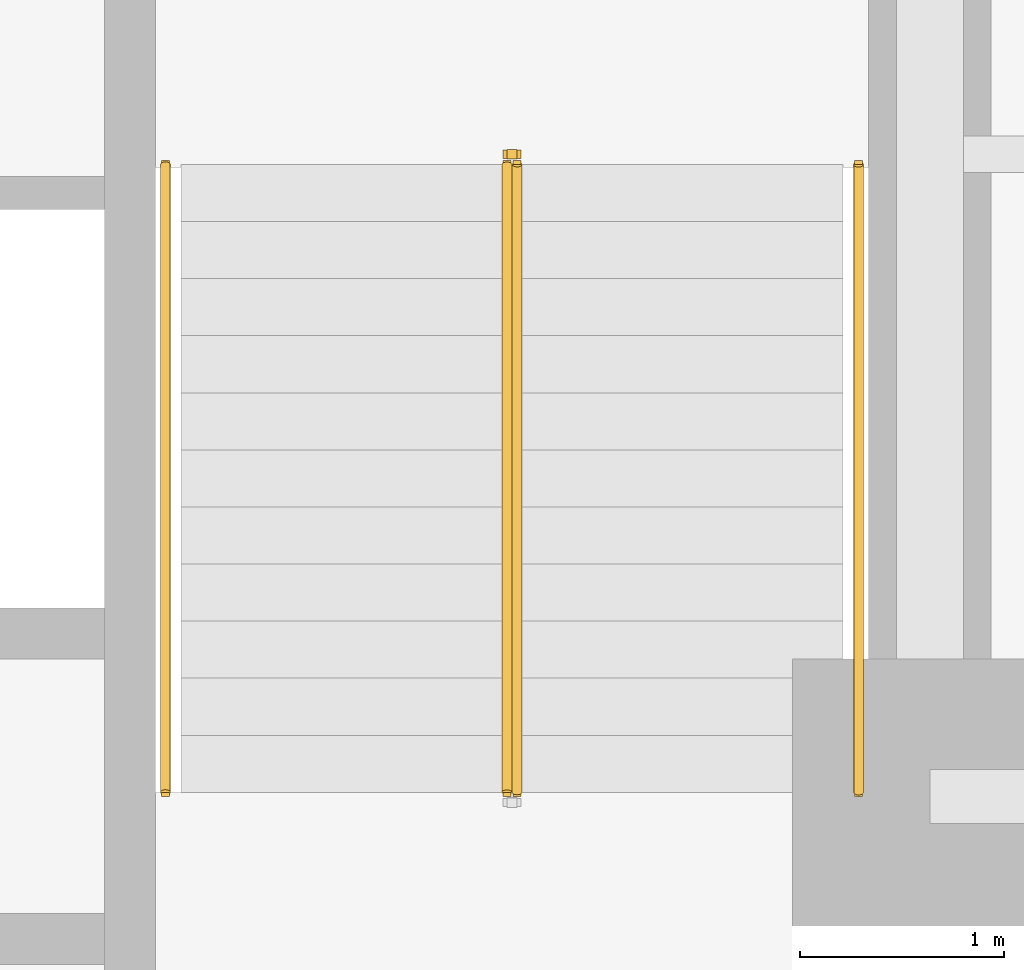
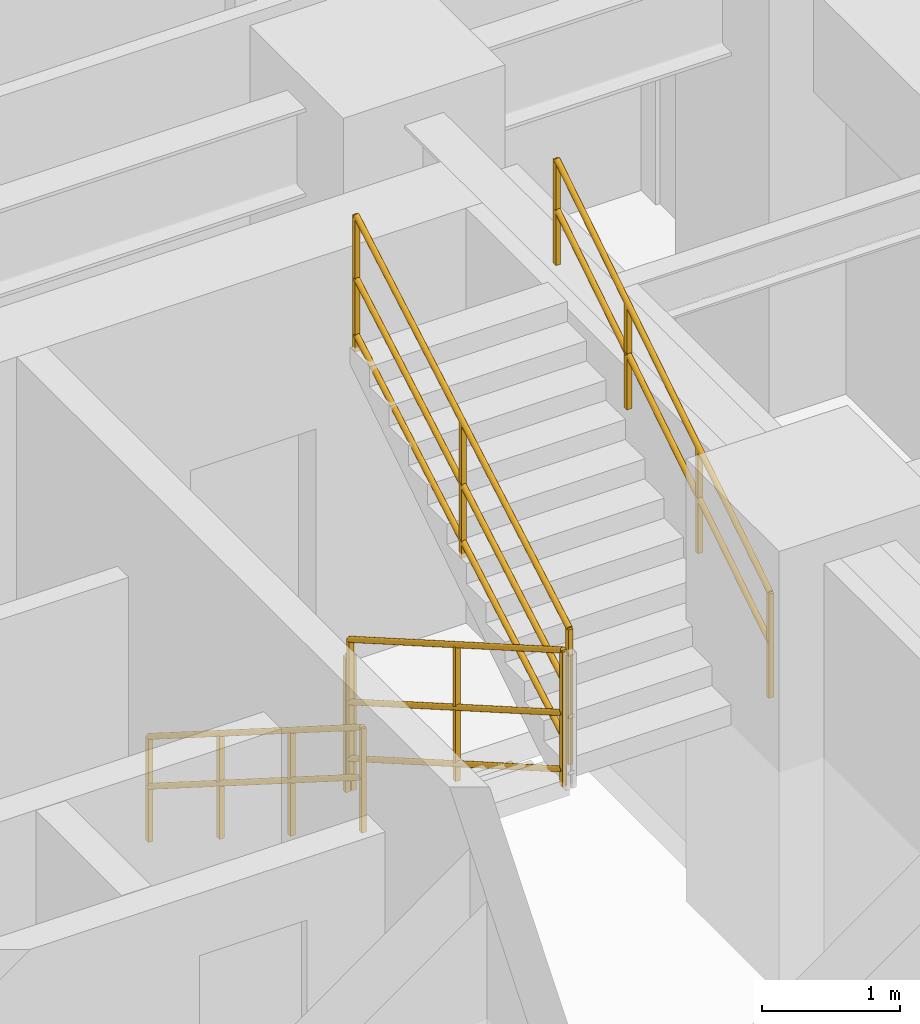
# One storey, part 9 of 10: 5 railings.
"""IFC4 building model written with IfcOpenShell, lengths in metres."""

from ifc_helpers import new_model, entity, si_unit, converted_unit, direction, frame, origin_with_axes, origin_2d_with_axis, place, context, subcontext, project, spatial, rectangle, circle, extrude, material, type_object, element, save


model = new_model("IFC4")

# Units and contexts
model_context = context("Model", 3, precision=1e-05, world=origin_with_axes(), true_north=direction((0.0, 1.0)))
body_context = subcontext(model_context, "Body", "Model", "MODEL_VIEW")
ifc_project = project(units=[si_unit("LENGTHUNIT", "METRE"), si_unit("AREAUNIT", "SQUARE_METRE"), si_unit("VOLUMEUNIT", "CUBIC_METRE"), converted_unit("PLANEANGLEUNIT", "DEGREE", entity("IfcPlaneAngleMeasure", 0.017453292519943295), si_unit("PLANEANGLEUNIT", "RADIAN"), dimensions=[0, 0, 0, 0, 0, 0, 0]), si_unit("MASSUNIT", "GRAM", prefix="KILO"), si_unit("THERMODYNAMICTEMPERATUREUNIT", "KELVIN")], contexts=[model_context])

# Site, building, storey
site_placement = place(None, origin_with_axes())
site = spatial("IfcSite", under=ifc_project, at=site_placement, CompositionType="ELEMENT")
building_placement = place(site_placement, origin_with_axes())
building = spatial("IfcBuilding", under=site, at=building_placement, Name="Varnlund Millrace Tower", CompositionType="ELEMENT")
storey_placement = place(building_placement, frame((0.0, 0.0, 44.4), z_axis=(0.0, 0.0, 1.0), x_axis=(1.0, 0.0, 0.0)))
storey = spatial("IfcBuildingStorey", under=building, at=storey_placement, Name="L10", CompositionType="ELEMENT", Elevation=44.4)

# Railings
ifc_material_1 = material(Name="Painted steel stair well balustrade guard", Category="steel")
railing_type_1 = type_object("IfcRailingType", Name="Type-StairGuard-1150", PredefinedType="GUARDRAIL", material=ifc_material_1)
railing_1_placement = place(storey_placement, frame((0.0, 0.0, -44.4), z_axis=(0.0, 0.0, 1.0), x_axis=(1.0, 0.0, 0.0)))
element("IfcRailing", 1, at=railing_1_placement, inside=storey, type_object=railing_type_1, Name="Type-StairGuard-1150", PredefinedType="GUARDRAIL", context=body_context, shape_type="SweptSolid", body=[
    extrude(circle(Radius=0.024, at=origin_2d_with_axis()), frame((45.975, 21.1, 45.727273), z_axis=(0.0, -0.866696, 0.498836), x_axis=(1.0, 0.0, 0.0)), (0.0, 0.0, 1.0), 3.553725),
    extrude(circle(Radius=0.024, at=origin_2d_with_axis()), frame((45.975, 21.1, 44.677273), z_axis=(0.0, -0.866696, 0.498836), x_axis=(1.0, 0.0, 0.0)), (0.0, 0.0, 1.0), 3.553725),
    extrude(circle(Radius=0.024, at=origin_2d_with_axis()), frame((45.975, 21.1, 45.175273), z_axis=(0.0, -0.866696, 0.498836), x_axis=(1.0, 0.0, 0.0)), (0.0, 0.0, 1.0), 3.553725),
    extrude(rectangle(XDim=0.04, YDim=0.04, at=origin_2d_with_axis()), frame((45.975, 21.1, 44.537273), z_axis=(0.0, 0.0, 1.0), x_axis=(1.0, 0.0, 0.0)), (0.0, 0.0, 1.0), 1.19),
    extrude(rectangle(XDim=0.04, YDim=0.04, at=origin_2d_with_axis()), frame((45.975, 19.56, 45.423636), z_axis=(0.0, 0.0, 1.0), x_axis=(1.0, 0.0, 0.0)), (0.0, 0.0, 1.0), 1.19),
    extrude(rectangle(XDim=0.04, YDim=0.04, at=origin_2d_with_axis()), frame((45.975, 18.02, 46.31), z_axis=(0.0, 0.0, 1.0), x_axis=(1.0, 0.0, 0.0)), (0.0, 0.0, 1.0), 1.19),
])
railing_2_placement = place(storey_placement, frame((0.0, 0.0, -44.4), z_axis=(0.0, 0.0, 1.0), x_axis=(1.0, 0.0, 0.0)))
element("IfcRailing", 2, at=railing_2_placement, inside=storey, type_object=railing_type_1, Name="Type-StairGuard-1150", PredefinedType="GUARDRAIL", context=body_context, shape_type="SweptSolid", body=[
    extrude(circle(Radius=0.024, at=origin_2d_with_axis()), frame((46.025, 18.02, 47.677273), z_axis=(0.0, 0.866696, 0.498836), x_axis=(-1.0, 0.0, 0.0)), (0.0, 0.0, 1.0), 3.553725),
    extrude(circle(Radius=0.024, at=origin_2d_with_axis()), frame((46.025, 18.02, 46.627273), z_axis=(0.0, 0.866696, 0.498836), x_axis=(-1.0, 0.0, 0.0)), (0.0, 0.0, 1.0), 3.553725),
    extrude(circle(Radius=0.024, at=origin_2d_with_axis()), frame((46.025, 18.02, 47.125273), z_axis=(0.0, 0.866696, 0.498836), x_axis=(-1.0, 0.0, 0.0)), (0.0, 0.0, 1.0), 3.553725),
    extrude(rectangle(XDim=0.04, YDim=0.04, at=origin_2d_with_axis()), frame((46.025, 18.02, 46.487273), z_axis=(0.0, 0.0, 1.0), x_axis=(1.0, 0.0, 0.0)), (0.0, 0.0, 1.0), 1.19),
    extrude(rectangle(XDim=0.04, YDim=0.04, at=origin_2d_with_axis()), frame((46.025, 19.56, 47.373636), z_axis=(0.0, 0.0, 1.0), x_axis=(1.0, 0.0, 0.0)), (0.0, 0.0, 1.0), 1.19),
    extrude(rectangle(XDim=0.04, YDim=0.04, at=origin_2d_with_axis()), frame((46.025, 21.1, 48.26), z_axis=(0.0, 0.0, 1.0), x_axis=(1.0, 0.0, 0.0)), (0.0, 0.0, 1.0), 1.19),
])
railing_3_placement = place(storey_placement, frame((0.0, 0.0, -44.4), z_axis=(0.0, 0.0, 1.0), x_axis=(1.0, 0.0, 0.0)))
element("IfcRailing", 3, at=railing_3_placement, inside=storey, type_object=railing_type_1, Name="Type-StairGuard-1150", PredefinedType="GUARDRAIL", context=body_context, shape_type="SweptSolid", body=[
    extrude(circle(Radius=0.024, at=origin_2d_with_axis()), frame((46.025, 21.15, 45.55), z_axis=(-1.0, 0.0, 0.0), x_axis=(0.0, -1.0, 0.0)), (0.0, 0.0, 1.0), 0.05),
    extrude(circle(Radius=0.024, at=origin_2d_with_axis()), frame((46.025, 21.15, 44.5), z_axis=(-1.0, 0.0, 0.0), x_axis=(0.0, -1.0, 0.0)), (0.0, 0.0, 1.0), 0.05),
    extrude(circle(Radius=0.024, at=origin_2d_with_axis()), frame((46.025, 21.15, 44.998), z_axis=(-1.0, 0.0, 0.0), x_axis=(0.0, -1.0, 0.0)), (0.0, 0.0, 1.0), 0.05),
    extrude(rectangle(XDim=0.04, YDim=0.04, at=origin_2d_with_axis()), frame((46.025, 21.15, 44.36), z_axis=(0.0, 0.0, 1.0), x_axis=(1.0, 0.0, 0.0)), (0.0, 0.0, 1.0), 1.19),
    extrude(rectangle(XDim=0.04, YDim=0.04, at=origin_2d_with_axis()), frame((45.975, 21.15, 44.36), z_axis=(0.0, 0.0, 1.0), x_axis=(1.0, 0.0, 0.0)), (0.0, 0.0, 1.0), 1.19),
])
ifc_material_2 = material(Name="Brushed architectural bronze stair handrail", Category="aluminium")
railing_type_2 = type_object("IfcRailingType", Name="Type-StairHandrail-900", PredefinedType="HANDRAIL", material=ifc_material_2)
railing_4_placement = place(storey_placement, frame((0.0, 0.0, -44.4), z_axis=(0.0, 0.0, 1.0), x_axis=(1.0, 0.0, 0.0)))
element("IfcRailing", 4, at=railing_4_placement, inside=storey, type_object=railing_type_2, Name="Type-StairHandrail-900", PredefinedType="HANDRAIL", context=body_context, shape_type="SweptSolid", body=[
    extrude(circle(Radius=0.024, at=origin_2d_with_axis()), frame((44.3, 21.1, 45.456995), z_axis=(0.0, -0.844902, 0.534922), x_axis=(1.0, 0.0, 0.0)), (0.0, 0.0, 1.0), 3.645394),
    extrude(circle(Radius=0.024, at=origin_2d_with_axis()), frame((44.3, 21.1, 45.017134), z_axis=(0.0, -0.844902, 0.534922), x_axis=(1.0, 0.0, 0.0)), (0.0, 0.0, 1.0), 3.645394),
    extrude(rectangle(XDim=0.04, YDim=0.04, at=origin_2d_with_axis()), frame((44.3, 21.1, 44.537273), z_axis=(0.0, 0.0, 1.0), x_axis=(1.0, 0.0, 0.0)), (0.0, 0.0, 1.0), 0.919722),
    extrude(rectangle(XDim=0.04, YDim=0.04, at=origin_2d_with_axis()), frame((44.3, 20.073333, 45.187273), z_axis=(0.0, 0.0, 1.0), x_axis=(1.0, 0.0, 0.0)), (0.0, 0.0, 1.0), 0.919722),
    extrude(rectangle(XDim=0.04, YDim=0.04, at=origin_2d_with_axis()), frame((44.3, 19.046667, 45.837273), z_axis=(0.0, 0.0, 1.0), x_axis=(1.0, 0.0, 0.0)), (0.0, 0.0, 1.0), 0.919722),
    extrude(rectangle(XDim=0.04, YDim=0.04, at=origin_2d_with_axis()), frame((44.3, 18.02, 46.487273), z_axis=(0.0, 0.0, 1.0), x_axis=(1.0, 0.0, 0.0)), (0.0, 0.0, 1.0), 0.919722),
])
railing_5_placement = place(storey_placement, frame((0.0, 0.0, -44.4), z_axis=(0.0, 0.0, 1.0), x_axis=(1.0, 0.0, 0.0)))
element("IfcRailing", 5, at=railing_5_placement, inside=storey, type_object=railing_type_2, Name="Type-StairHandrail-900", PredefinedType="HANDRAIL", context=body_context, shape_type="SweptSolid", body=[
    extrude(circle(Radius=0.024, at=origin_2d_with_axis()), frame((47.7, 18.02, 47.406995), z_axis=(0.0, 0.844902, 0.534922), x_axis=(-1.0, 0.0, 0.0)), (0.0, 0.0, 1.0), 3.645394),
    extrude(circle(Radius=0.024, at=origin_2d_with_axis()), frame((47.7, 18.02, 46.967134), z_axis=(0.0, 0.844902, 0.534922), x_axis=(-1.0, 0.0, 0.0)), (0.0, 0.0, 1.0), 3.645394),
    extrude(rectangle(XDim=0.04, YDim=0.04, at=origin_2d_with_axis()), frame((47.7, 18.02, 46.487273), z_axis=(0.0, 0.0, 1.0), x_axis=(1.0, 0.0, 0.0)), (0.0, 0.0, 1.0), 0.919722),
    extrude(rectangle(XDim=0.04, YDim=0.04, at=origin_2d_with_axis()), frame((47.7, 19.046667, 47.137273), z_axis=(0.0, 0.0, 1.0), x_axis=(1.0, 0.0, 0.0)), (0.0, 0.0, 1.0), 0.919722),
    extrude(rectangle(XDim=0.04, YDim=0.04, at=origin_2d_with_axis()), frame((47.7, 20.073333, 47.787273), z_axis=(0.0, 0.0, 1.0), x_axis=(1.0, 0.0, 0.0)), (0.0, 0.0, 1.0), 0.919722),
    extrude(rectangle(XDim=0.04, YDim=0.04, at=origin_2d_with_axis()), frame((47.7, 21.1, 48.437273), z_axis=(0.0, 0.0, 1.0), x_axis=(1.0, 0.0, 0.0)), (0.0, 0.0, 1.0), 0.919722),
])

save(model, "model.ifc")
